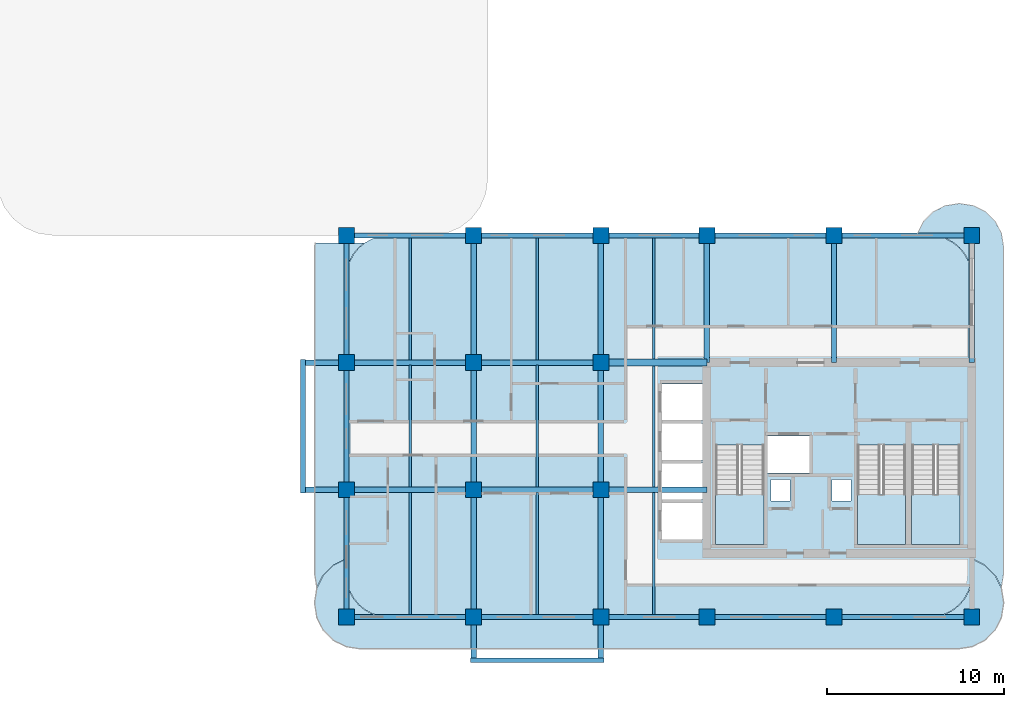
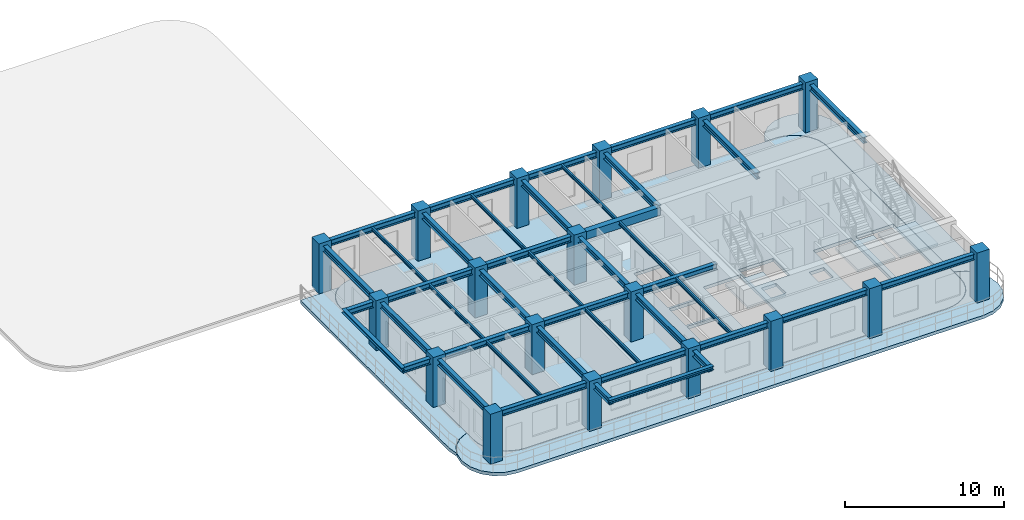
# One storey, part 1 of 8: 39 beams, 18 columns, 7 slabs, 3 elements without a shape of their own.
"""IFC4 building model written with IfcOpenShell, lengths in metres."""

from ifc_helpers import new_model, si_unit, derived_unit, direction, frame, origin, origin_2d, place, context, subcontext, project, spatial, polyline, rectangle, i_section, outline, extrude, source, transform, mapped, material, layer, layer_set, material_profile, profile_set, type_object, type_shapes, element, aggregate, save


model = new_model("IFC4")

# Units and contexts
model_context = context("Model", 3, precision=1e-05, world=origin(), true_north=direction((0.0, 1.0)))
body_context = subcontext(model_context, "Body", "Model", "MODEL_VIEW")
ifc_project = project(units=[si_unit("LENGTHUNIT", "METRE"), si_unit("AREAUNIT", "SQUARE_METRE"), si_unit("VOLUMEUNIT", "CUBIC_METRE"), si_unit("PLANEANGLEUNIT", "RADIAN"), si_unit("MASSUNIT", "GRAM", prefix="KILO"), si_unit("THERMODYNAMICTEMPERATUREUNIT", "KELVIN"), si_unit("POWERUNIT", "WATT"), derived_unit("THERMALTRANSMITTANCEUNIT", [(si_unit("POWERUNIT", "WATT"), 1), (si_unit("AREAUNIT", "SQUARE_METRE"), -1), (si_unit("THERMODYNAMICTEMPERATUREUNIT", "KELVIN"), -1)])], contexts=[model_context])

# Site, building, storey
site_placement = place(None, origin())
site = spatial("IfcSite", under=ifc_project, at=site_placement, CompositionType="ELEMENT")
building_placement = place(site_placement, origin())
building = spatial("IfcBuilding", under=site, at=building_placement, Name="Zahravan Archway Hotel and Residences", CompositionType="ELEMENT")
storey_placement = place(building_placement, frame((0.0, 0.0, 213.449951171875)))
storey = spatial("IfcBuildingStorey", under=building, at=storey_placement, Name="L53", CompositionType="ELEMENT", Elevation=213.449951171875)

# Columns
ifc_material_1 = material(Name="Concrete C60/75", Category="concrete")
ifc_material_profile_1 = material_profile(ifc_material_1, rectangle(XDim=0.89990234375, YDim=0.89990234375, at=origin_2d()), Name="RC-COL-900x900", Category="concrete")
ifc_profile_set_1 = profile_set([ifc_material_profile_1], Name="Concrete C60/75")
column_type = type_object("IfcColumnType", Name="COL-RC-900", PredefinedType="COLUMN", material=ifc_profile_set_1)
shared_shape_1 = source(origin(), body_context, "Body", "SweptSolid", [
    extrude(rectangle(XDim=0.89990234375, YDim=0.89990234375, at=origin_2d()), origin(), (0.0, 0.0, 1.0), 3.85009765625),
])
type_shapes(column_type, [shared_shape_1])
for number, where, z_axis, x_axis, name in (
    (1, (14.39990234375, 0.0, 0.0), (0.0, 0.0, 1.0), (1.0, 0.0, 0.0), "L53 Column 3-A"),
    (2, (14.39990234375, 7.199951171875, 0.0), (0.0, 0.0, 1.0), (1.0, 0.0, 0.0), "L53 Column 3-B"),
    (3, (14.39990234375, 14.39990234375, 0.0), (0.0, 0.0, 1.0), (1.0, 0.0, 0.0), "L53 Column 3-C"),
    (4, (14.39990234375, 21.60009765625, 0.0), (0.0, 0.0, 1.0), (1.0, 0.0, 0.0), "L53 Column 3-D"),
    (5, (21.60009765625, 0.0, 0.0), (0.0, 0.0, 1.0), (1.0, 0.0, 0.0), "L53 Column 4-A"),
    (6, (21.60009765625, 7.199951171875, 0.0), (0.0, 0.0, 1.0), (1.0, 0.0, 0.0), "L53 Column 4-B"),
    (7, (21.60009765625, 14.39990234375, 0.0), (0.0, 0.0, 1.0), (1.0, 0.0, 0.0), "L53 Column 4-C"),
    (8, (21.60009765625, 21.60009765625, 0.0), (0.0, 0.0, 1.0), (1.0, 0.0, 0.0), "L53 Column 4-D"),
    (9, (28.800048828125, 0.0, 0.0), (0.0, 0.0, 1.0), (1.0, 0.0, 0.0), "L53 Column 5-A"),
    (10, (28.800048828125, 7.199951171875, 0.0), (0.0, 0.0, 1.0), (1.0, 0.0, 0.0), "L53 Column 5-B"),
    (11, (28.800048828125, 14.39990234375, 0.0), (0.0, 0.0, 1.0), (1.0, 0.0, 0.0), "L53 Column 5-C"),
    (12, (28.800048828125, 21.60009765625, 0.0), (0.0, 0.0, 1.0), (1.0, 0.0, 0.0), "L53 Column 5-D"),
    (13, (34.800048828125, 0.0, 0.0), (0.0, 0.0, 1.0), (1.0, 0.0, 0.0), "L53 Column 6-A"),
    (14, (34.800048828125, 21.60009765625, 0.0), (0.0, 0.0, 1.0), (1.0, 0.0, 0.0), "L53 Column 6-D"),
    (15, (42.0, 0.0, 0.0), (0.0, 0.0, 1.0), (1.0, 0.0, 0.0), "L53 Column 7-A"),
    (16, (42.0, 21.60009765625, 0.0), (0.0, 0.0, 1.0), (1.0, 0.0, 0.0), "L53 Column 7-D"),
    (17, (49.800048828125, 0.0, 0.0), (0.0, 0.0, 1.0), (1.0, 0.0, 0.0), "L53 Column 8-A"),
    (18, (49.800048828125, 21.60009765625, 0.0), (0.0, 0.0, 1.0), (1.0, 0.0, 0.0), "L53 Column 8-D"),
):
    element("IfcColumn", number, at=place(storey_placement, frame(where, z_axis=z_axis, x_axis=x_axis)), inside=storey, type_object=column_type, Name=name, PredefinedType="COLUMN", context=body_context, shape_type="MappedRepresentation", body=[
        mapped(shared_shape_1, transform((0.0, 0.0, 0.0), scale=1.0)),
    ])

# Beams
ifc_material_2 = material(Name="Structural Steel S355JR", Category="steel")
ifc_material_profile_2 = material_profile(ifc_material_2, i_section(OverallWidth=0.280029296875, OverallDepth=0.280029296875, WebThickness=0.010498046875, FlangeThickness=0.01806640625, FilletRadius=0.02392578125, at=origin_2d()), Name="HEB 280", Category="steel")
ifc_profile_set_2 = profile_set([ifc_material_profile_2], Name="Structural Steel S355JR")
beam_type_1 = type_object("IfcBeamType", Name="BM-SPN-HEB280", PredefinedType="SPANDREL", material=ifc_profile_set_2)
shared_shape_2 = source(origin(), body_context, "Body", "SweptSolid", [
    extrude(i_section(OverallWidth=0.280029296875, OverallDepth=0.280029296875, WebThickness=0.010498046875, FlangeThickness=0.01806640625, FilletRadius=0.02392578125, at=origin_2d()), origin(), (0.0, 0.0, 1.0), 7.56005859375),
])
type_shapes(beam_type_1, [shared_shape_2])
for number, where, z_axis, x_axis, name in (
    (19, (11.949951171875, 7.02001953125, 3.4599609375), (0.0, 1.0, 0.0), (-1.0, 0.0, 0.0), "L54 WA Balcony Edge Spandrel"),
    (20, (21.419921875, -2.449951171875, 3.4599609375), (1.0, 0.0, 0.0), (0.0, 1.0, 0.0), "L54 SA Balcony Edge Spandrel"),
):
    element("IfcBeam", number, at=place(storey_placement, frame(where, z_axis=z_axis, x_axis=x_axis)), inside=storey, type_object=beam_type_1, Name=name, PredefinedType="SPANDREL", context=body_context, shape_type="MappedRepresentation", body=[
        mapped(shared_shape_2, transform((0.0, 0.0, 0.0), scale=1.0)),
    ])
ifc_material_profile_3 = material_profile(ifc_material_1, rectangle(XDim=0.39990234375, YDim=0.60009765625, at=origin_2d()), Name="RC-LNT-400x600", Category="concrete")
ifc_profile_set_3 = profile_set([ifc_material_profile_3], Name="Concrete C60/75")
beam_type_2 = type_object("IfcBeamType", Name="LNT-RC-400x600", PredefinedType="LINTEL", material=ifc_profile_set_3)
shared_shape_3 = source(origin(), body_context, "Body", "SweptSolid", [
    extrude(rectangle(XDim=0.39990234375, YDim=0.60009765625, at=origin_2d()), origin(), (0.0, 0.0, 1.0), 6.0),
])
type_shapes(beam_type_2, [shared_shape_3])
beam_placement = place(storey_placement, frame((28.800048828125, 14.39990234375, 3.300048828125), z_axis=(1.0, 0.0, 0.0), x_axis=(0.0, 1.0, 0.0)))
element("IfcBeam", 21, at=beam_placement, inside=storey, type_object=beam_type_2, Name="L53 Core A Coupling Lintel Beam", PredefinedType="LINTEL", context=body_context, shape_type="MappedRepresentation", body=[
    mapped(shared_shape_3, transform((0.0, 0.0, 0.0), scale=1.0)),
])
ifc_material_profile_4 = material_profile(ifc_material_2, i_section(OverallWidth=0.300048828125, OverallDepth=0.449951171875, WebThickness=0.013916015625, FlangeThickness=0.02587890625, FilletRadius=0.027099609375, at=origin_2d()), Name="HEB 450", Category="steel")
ifc_profile_set_4 = profile_set([ifc_material_profile_4], Name="Structural Steel S355JR")
beam_type_3 = type_object("IfcBeamType", Name="BM-PRI-HEB450", PredefinedType="BEAM", material=ifc_profile_set_4)
shared_shape_4 = source(origin(), body_context, "Body", "SweptSolid", [
    extrude(i_section(OverallWidth=0.300048828125, OverallDepth=0.449951171875, WebThickness=0.013916015625, FlangeThickness=0.02587890625, FilletRadius=0.027099609375, at=origin_2d()), origin(), (0.0, 0.0, 1.0), 7.2001953125),
])
type_shapes(beam_type_3, [shared_shape_4])
for number, where, z_axis, x_axis, name in (
    (22, (14.39990234375, 0.0, 3.375), (1.0, 0.0, 0.0), (0.0, 1.0, 0.0), "L53 Primary Girder EW-01"),
    (23, (14.39990234375, 21.60009765625, 3.375), (1.0, 0.0, 0.0), (0.0, 1.0, 0.0), "L53 Primary Girder EW-11"),
    (24, (14.39990234375, 14.39990234375, 3.375), (0.0, 1.0, 0.0), (-1.0, 0.0, 0.0), "L53 Primary Girder NS-18"),
    (25, (21.60009765625, 14.39990234375, 3.375), (0.0, 1.0, 0.0), (-1.0, 0.0, 0.0), "L53 Primary Girder NS-21"),
    (26, (28.800048828125, 14.39990234375, 3.375), (0.0, 1.0, 0.0), (-1.0, 0.0, 0.0), "L53 Primary Girder NS-24"),
    (27, (34.800048828125, 14.39990234375, 3.375), (0.0, 1.0, 0.0), (-1.0, 0.0, 0.0), "L53 Primary Girder NS-25"),
    (28, (42.0, 14.39990234375, 3.375), (0.0, 1.0, 0.0), (-1.0, 0.0, 0.0), "L53 Primary Girder NS-26"),
    (29, (49.800048828125, 14.39990234375, 3.375), (0.0, 1.0, 0.0), (-1.0, 0.0, 0.0), "L53 Primary Girder NS-27"),
):
    element("IfcBeam", number, at=place(storey_placement, frame(where, z_axis=z_axis, x_axis=x_axis)), inside=storey, type_object=beam_type_3, Name=name, PredefinedType="BEAM", context=body_context, shape_type="MappedRepresentation", body=[
        mapped(shared_shape_4, transform((0.0, 0.0, 0.0), scale=1.0)),
    ])
shared_shape_5 = source(origin(), body_context, "Body", "SweptSolid", [
    extrude(i_section(OverallWidth=0.300048828125, OverallDepth=0.449951171875, WebThickness=0.013916015625, FlangeThickness=0.02587890625, FilletRadius=0.027099609375, at=origin_2d()), origin(), (0.0, 0.0, 1.0), 7.199951171875),
])
for number, where, z_axis, x_axis, name in (
    (30, (21.60009765625, 0.0, 3.375), (1.0, 0.0, 0.0), (0.0, 1.0, 0.0), "L53 Primary Girder EW-02"),
    (31, (34.800048828125, 0.0, 3.375), (1.0, 0.0, 0.0), (0.0, 1.0, 0.0), "L53 Primary Girder EW-04"),
    (32, (21.60009765625, 7.199951171875, 3.375), (1.0, 0.0, 0.0), (0.0, 1.0, 0.0), "L53 Primary Girder EW-07"),
    (33, (21.60009765625, 14.39990234375, 3.375), (1.0, 0.0, 0.0), (0.0, 1.0, 0.0), "L53 Primary Girder EW-10"),
    (34, (21.60009765625, 21.60009765625, 3.375), (1.0, 0.0, 0.0), (0.0, 1.0, 0.0), "L53 Primary Girder EW-12"),
    (35, (34.800048828125, 21.60009765625, 3.375), (1.0, 0.0, 0.0), (0.0, 1.0, 0.0), "L53 Primary Girder EW-14"),
    (36, (14.39990234375, 0.0, 3.375), (0.0, 1.0, 0.0), (-1.0, 0.0, 0.0), "L53 Primary Girder NS-16"),
    (37, (14.39990234375, 7.199951171875, 3.375), (0.0, 1.0, 0.0), (-1.0, 0.0, 0.0), "L53 Primary Girder NS-17"),
    (38, (21.60009765625, 7.199951171875, 3.375), (0.0, 1.0, 0.0), (-1.0, 0.0, 0.0), "L53 Primary Girder NS-20"),
    (39, (28.800048828125, 7.199951171875, 3.375), (0.0, 1.0, 0.0), (-1.0, 0.0, 0.0), "L53 Primary Girder NS-23"),
):
    element("IfcBeam", number, at=place(storey_placement, frame(where, z_axis=z_axis, x_axis=x_axis)), inside=storey, type_object=beam_type_3, Name=name, PredefinedType="BEAM", context=body_context, shape_type="MappedRepresentation", body=[
        mapped(shared_shape_5, transform((0.0, 0.0, 0.0), scale=1.0)),
    ])
shared_shape_6 = source(origin(), body_context, "Body", "SweptSolid", [
    extrude(i_section(OverallWidth=0.300048828125, OverallDepth=0.449951171875, WebThickness=0.013916015625, FlangeThickness=0.02587890625, FilletRadius=0.027099609375, at=origin_2d()), origin(), (0.0, 0.0, 1.0), 6.0),
])
for number, where, z_axis, x_axis, name in (
    (40, (28.800048828125, 0.0, 3.375), (1.0, 0.0, 0.0), (0.0, 1.0, 0.0), "L53 Primary Girder EW-03"),
    (41, (28.800048828125, 7.199951171875, 3.375), (1.0, 0.0, 0.0), (0.0, 1.0, 0.0), "L53 Primary Girder EW-08"),
    (42, (28.800048828125, 21.60009765625, 3.375), (1.0, 0.0, 0.0), (0.0, 1.0, 0.0), "L53 Primary Girder EW-13"),
):
    element("IfcBeam", number, at=place(storey_placement, frame(where, z_axis=z_axis, x_axis=x_axis)), inside=storey, type_object=beam_type_3, Name=name, PredefinedType="BEAM", context=body_context, shape_type="MappedRepresentation", body=[
        mapped(shared_shape_6, transform((0.0, 0.0, 0.0), scale=1.0)),
    ])
shared_shape_7 = source(origin(), body_context, "Body", "SweptSolid", [
    extrude(i_section(OverallWidth=0.300048828125, OverallDepth=0.449951171875, WebThickness=0.013916015625, FlangeThickness=0.02587890625, FilletRadius=0.027099609375, at=origin_2d()), origin(), (0.0, 0.0, 1.0), 7.800048828125),
])
for number, where, z_axis, x_axis, name in (
    (43, (42.0, 0.0, 3.375), (1.0, 0.0, 0.0), (0.0, 1.0, 0.0), "L53 Primary Girder EW-05"),
    (44, (42.0, 21.60009765625, 3.375), (1.0, 0.0, 0.0), (0.0, 1.0, 0.0), "L53 Primary Girder EW-15"),
):
    element("IfcBeam", number, at=place(storey_placement, frame(where, z_axis=z_axis, x_axis=x_axis)), inside=storey, type_object=beam_type_3, Name=name, PredefinedType="BEAM", context=body_context, shape_type="MappedRepresentation", body=[
        mapped(shared_shape_7, transform((0.0, 0.0, 0.0), scale=1.0)),
    ])
shared_shape_8 = source(origin(), body_context, "Body", "SweptSolid", [
    extrude(i_section(OverallWidth=0.300048828125, OverallDepth=0.449951171875, WebThickness=0.013916015625, FlangeThickness=0.02587890625, FilletRadius=0.027099609375, at=origin_2d()), origin(), (0.0, 0.0, 1.0), 9.650146484375),
])
for number, where, z_axis, x_axis, name in (
    (45, (11.949951171875, 7.199951171875, 3.375), (1.0, 0.0, 0.0), (0.0, 1.0, 0.0), "L53 Primary Girder EW-06"),
    (46, (11.949951171875, 14.39990234375, 3.375), (1.0, 0.0, 0.0), (0.0, 1.0, 0.0), "L53 Primary Girder EW-09"),
):
    element("IfcBeam", number, at=place(storey_placement, frame(where, z_axis=z_axis, x_axis=x_axis)), inside=storey, type_object=beam_type_3, Name=name, PredefinedType="BEAM", context=body_context, shape_type="MappedRepresentation", body=[
        mapped(shared_shape_8, transform((0.0, 0.0, 0.0), scale=1.0)),
    ])
shared_shape_9 = source(origin(), body_context, "Body", "SweptSolid", [
    extrude(i_section(OverallWidth=0.300048828125, OverallDepth=0.449951171875, WebThickness=0.013916015625, FlangeThickness=0.02587890625, FilletRadius=0.027099609375, at=origin_2d()), origin(), (0.0, 0.0, 1.0), 9.64990234375),
])
for number, where, z_axis, x_axis, name in (
    (47, (21.60009765625, -2.449951171875, 3.375), (0.0, 1.0, 0.0), (-1.0, 0.0, 0.0), "L53 Primary Girder NS-19"),
    (48, (28.800048828125, -2.449951171875, 3.375), (0.0, 1.0, 0.0), (-1.0, 0.0, 0.0), "L53 Primary Girder NS-22"),
):
    element("IfcBeam", number, at=place(storey_placement, frame(where, z_axis=z_axis, x_axis=x_axis)), inside=storey, type_object=beam_type_3, Name=name, PredefinedType="BEAM", context=body_context, shape_type="MappedRepresentation", body=[
        mapped(shared_shape_9, transform((0.0, 0.0, 0.0), scale=1.0)),
    ])
ifc_material_profile_5 = material_profile(ifc_material_2, i_section(OverallWidth=0.135009765625, OverallDepth=0.27001953125, WebThickness=0.006591796875, FlangeThickness=0.01025390625, FilletRadius=0.014892578125, at=origin_2d()), Name="IPE 270", Category="steel")
ifc_profile_set_5 = profile_set([ifc_material_profile_5], Name="Structural Steel S355JR")
beam_type_4 = type_object("IfcBeamType", Name="BM-JST-IPE270", PredefinedType="JOIST", material=ifc_profile_set_5)
shared_shape_10 = source(origin(), body_context, "Body", "SweptSolid", [
    extrude(i_section(OverallWidth=0.135009765625, OverallDepth=0.27001953125, WebThickness=0.006591796875, FlangeThickness=0.01025390625, FilletRadius=0.014892578125, at=origin_2d()), origin(), (0.0, 0.0, 1.0), 6.904052734375),
])
type_shapes(beam_type_4, [shared_shape_10])
for number, where, z_axis, x_axis, name in (
    (49, (18.0, 0.14794921875, 3.465087890625), (0.0, 1.0, 0.0), (-1.0, 0.0, 0.0), "L53 Composite Floor Joist 01"),
    (50, (25.199951171875, 0.14794921875, 3.465087890625), (0.0, 1.0, 0.0), (-1.0, 0.0, 0.0), "L53 Composite Floor Joist 02"),
    (51, (31.800048828125, 0.14794921875, 3.465087890625), (0.0, 1.0, 0.0), (-1.0, 0.0, 0.0), "L53 Composite Floor Joist 03"),
    (52, (18.0, 7.347900390625, 3.465087890625), (0.0, 1.0, 0.0), (-1.0, 0.0, 0.0), "L53 Composite Floor Joist 04"),
    (53, (25.199951171875, 7.347900390625, 3.465087890625), (0.0, 1.0, 0.0), (-1.0, 0.0, 0.0), "L53 Composite Floor Joist 05"),
):
    element("IfcBeam", number, at=place(storey_placement, frame(where, z_axis=z_axis, x_axis=x_axis)), inside=storey, type_object=beam_type_4, Name=name, PredefinedType="JOIST", context=body_context, shape_type="MappedRepresentation", body=[
        mapped(shared_shape_10, transform((0.0, 0.0, 0.0), scale=1.0)),
    ])
shared_shape_11 = source(origin(), body_context, "Body", "SweptSolid", [
    extrude(i_section(OverallWidth=0.135009765625, OverallDepth=0.27001953125, WebThickness=0.006591796875, FlangeThickness=0.01025390625, FilletRadius=0.014892578125, at=origin_2d()), origin(), (0.0, 0.0, 1.0), 6.85400390625),
])
for number, where, z_axis, x_axis, name in (
    (54, (31.800048828125, 7.347900390625, 3.465087890625), (0.0, 1.0, 0.0), (-1.0, 0.0, 0.0), "L53 Composite Floor Joist 06"),
    (55, (31.800048828125, 14.597900390625, 3.465087890625), (0.0, 1.0, 0.0), (-1.0, 0.0, 0.0), "L53 Composite Floor Joist 07"),
):
    element("IfcBeam", number, at=place(storey_placement, frame(where, z_axis=z_axis, x_axis=x_axis)), inside=storey, type_object=beam_type_4, Name=name, PredefinedType="JOIST", context=body_context, shape_type="MappedRepresentation", body=[
        mapped(shared_shape_11, transform((0.0, 0.0, 0.0), scale=1.0)),
    ])
shared_shape_12 = source(origin(), body_context, "Body", "SweptSolid", [
    extrude(i_section(OverallWidth=0.135009765625, OverallDepth=0.27001953125, WebThickness=0.006591796875, FlangeThickness=0.01025390625, FilletRadius=0.014892578125, at=origin_2d()), origin(), (0.0, 0.0, 1.0), 6.90380859375),
])
for number, where, z_axis, x_axis, name in (
    (56, (18.0, 14.548095703125, 3.465087890625), (0.0, 1.0, 0.0), (-1.0, 0.0, 0.0), "L53 Composite Floor Joist 08"),
    (57, (25.199951171875, 14.548095703125, 3.465087890625), (0.0, 1.0, 0.0), (-1.0, 0.0, 0.0), "L53 Composite Floor Joist 09"),
):
    element("IfcBeam", number, at=place(storey_placement, frame(where, z_axis=z_axis, x_axis=x_axis)), inside=storey, type_object=beam_type_4, Name=name, PredefinedType="JOIST", context=body_context, shape_type="MappedRepresentation", body=[
        mapped(shared_shape_12, transform((0.0, 0.0, 0.0), scale=1.0)),
    ])

# Slabs
ifc_material_3 = material(Name="Concrete C45/55", Category="concrete")
ifc_layer_1 = layer(ifc_material_3, 0.25, Name="Concrete C45/55", Category="concrete")
ifc_layer_set_1 = layer_set([ifc_layer_1], Name="Concrete C45/55")
slab_type_1 = type_object("IfcSlabType", Name="SLB-BALC-250", PredefinedType="FLOOR", material=ifc_layer_set_1)
slab_1_placement = place(storey_placement, frame((0.0, 0.0, -0.25)))
element("IfcSlab", 58, at=slab_1_placement, inside=storey, type_object=slab_type_1, Name="L53 Wing A South Rounded Balcony Band", PredefinedType="FLOOR", context=body_context, shape_type="SweptSolid", body=[
    extrude(outline(polyline([(49.837890625, 3.275146484375), (50.548828125, 2.9130859375), (51.113037109375, 2.348876953125), (51.47509765625, 1.637939453125), (51.60009765625, 0.85009765625), (51.60009765625, 0.75), (51.47509765625, -0.0380859375), (51.113037109375, -0.748779296875), (50.548828125, -1.31298828125), (49.837890625, -1.67529296875), (49.050048828125, -1.800048828125), (15.14990234375, -1.800048828125), (14.362060546875, -1.67529296875), (13.651123046875, -1.31298828125), (13.0869140625, -0.748779296875), (12.724853515625, -0.0380859375), (12.60009765625, 0.75), (12.60009765625, 0.85009765625), (12.724853515625, 1.637939453125), (13.0869140625, 2.348876953125), (13.651123046875, 2.9130859375), (14.362060546875, 3.275146484375), (14.3798828125, 3.278076171875), (14.3798828125, 2.39990234375), (14.380126953125, 2.39794921875), (14.42626953125, 1.9296875), (14.426513671875, 1.927978515625), (14.427001953125, 1.926025390625), (14.563720703125, 1.475830078125), (14.564208984375, 1.473876953125), (14.565185546875, 1.47216796875), (14.786865234375, 1.05712890625), (14.787841796875, 1.055419921875), (14.7890625, 1.053955078125), (15.08740234375, 0.690185546875), (15.0888671875, 0.688720703125), (15.090087890625, 0.6875), (15.453857421875, 0.388916015625), (15.45556640625, 0.387939453125), (15.457275390625, 0.386962890625), (15.872314453125, 0.1650390625), (15.873779296875, 0.164306640625), (15.875732421875, 0.16357421875), (16.325927734375, 0.027099609375), (16.327880859375, 0.026611328125), (16.329833984375, 0.026123046875), (16.798095703125, -0.02001953125), (16.800048828125, -0.02001953125), (47.39990234375, -0.02001953125), (47.402099609375, -0.02001953125), (47.8701171875, 0.026123046875), (47.8720703125, 0.026611328125), (47.8740234375, 0.027099609375), (48.32421875, 0.16357421875), (48.326171875, 0.164306640625), (48.327880859375, 0.1650390625), (48.742919921875, 0.386962890625), (48.744384765625, 0.387939453125), (48.74609375, 0.388916015625), (49.10986328125, 0.6875), (49.111083984375, 0.688720703125), (49.112548828125, 0.690185546875), (49.410888671875, 1.053955078125), (49.412109375, 1.055419921875), (49.4130859375, 1.05712890625), (49.635009765625, 1.47216796875), (49.6357421875, 1.473876953125), (49.636474609375, 1.475830078125), (49.77294921875, 1.926025390625), (49.7734375, 1.927978515625), (49.773681640625, 1.9296875), (49.81982421875, 2.39794921875), (49.820068359375, 2.39990234375), (49.820068359375, 3.278076171875), (49.837890625, 3.275146484375)])), origin(), (0.0, 0.0, 1.0), 0.25),
])
slab_2_placement = place(storey_placement, frame((0.0, 0.0, -0.25)))
element("IfcSlab", 59, at=slab_2_placement, inside=storey, type_object=slab_type_1, Name="L53 Wing A East Rounded Balcony Band", PredefinedType="FLOOR", context=body_context, shape_type="SweptSolid", body=[
    extrude(outline(polyline([(46.719970703125, 21.70703125), (47.06787109375, 22.39013671875), (47.60986328125, 22.93212890625), (48.29296875, 23.280029296875), (49.050048828125, 23.39990234375), (49.14990234375, 23.39990234375), (49.906982421875, 23.280029296875), (50.590087890625, 22.93212890625), (51.132080078125, 22.39013671875), (51.47998046875, 21.70703125), (51.60009765625, 20.949951171875), (51.60009765625, 2.449951171875), (51.47998046875, 1.69287109375), (51.474853515625, 1.6826171875), (51.130859375, 2.35791015625), (51.1298828125, 2.35986328125), (51.12841796875, 2.361572265625), (51.127197265625, 2.363037109375), (50.56298828125, 2.927001953125), (50.5615234375, 2.928466796875), (50.559814453125, 2.9296875), (50.55810546875, 2.930908203125), (49.84716796875, 3.29296875), (49.84521484375, 3.2939453125), (49.84326171875, 3.29443359375), (49.841064453125, 3.294921875), (49.822998046875, 3.2978515625), (49.8212890625, 3.298095703125), (49.820068359375, 3.298095703125), (49.820068359375, 19.199951171875), (49.81982421875, 19.201904296875), (49.773681640625, 19.670166015625), (49.7734375, 19.672119140625), (49.77294921875, 19.674072265625), (49.636474609375, 20.124267578125), (49.6357421875, 20.126220703125), (49.635009765625, 20.127685546875), (49.4130859375, 20.542724609375), (49.412109375, 20.54443359375), (49.410888671875, 20.546142578125), (49.112548828125, 20.909912109375), (49.111083984375, 20.9111328125), (49.10986328125, 20.91259765625), (48.74609375, 21.2109375), (48.744384765625, 21.212158203125), (48.742919921875, 21.213134765625), (48.327880859375, 21.434814453125), (48.326171875, 21.435791015625), (48.32421875, 21.436279296875), (47.8740234375, 21.572998046875), (47.8720703125, 21.573486328125), (47.8701171875, 21.57373046875), (47.402099609375, 21.619873046875), (47.39990234375, 21.6201171875), (46.7060546875, 21.6201171875), (46.719970703125, 21.70703125)])), origin(), (0.0, 0.0, 1.0), 0.25),
])
slab_3_placement = place(storey_placement, frame((0.0, 0.0, -0.25)))
element("IfcSlab", 60, at=slab_3_placement, inside=storey, type_object=slab_type_1, Name="L53 Wing A West Rounded Balcony Band", PredefinedType="FLOOR", context=body_context, shape_type="SweptSolid", body=[
    extrude(outline(polyline([(12.719970703125, 1.69287109375), (12.60009765625, 2.449951171875), (12.60009765625, 20.949951171875), (12.634765625, 21.169921875), (15.404052734375, 21.169921875), (15.090087890625, 20.91259765625), (15.0888671875, 20.9111328125), (15.08740234375, 20.909912109375), (14.7890625, 20.546142578125), (14.787841796875, 20.54443359375), (14.786865234375, 20.542724609375), (14.565185546875, 20.127685546875), (14.564208984375, 20.126220703125), (14.563720703125, 20.124267578125), (14.427001953125, 19.674072265625), (14.426513671875, 19.672119140625), (14.42626953125, 19.670166015625), (14.380126953125, 19.201904296875), (14.3798828125, 19.199951171875), (14.3798828125, 3.298095703125), (14.37890625, 3.298095703125), (14.376953125, 3.2978515625), (14.35888671875, 3.294921875), (14.356689453125, 3.29443359375), (14.354736328125, 3.2939453125), (14.352783203125, 3.29296875), (13.64208984375, 2.930908203125), (13.64013671875, 2.9296875), (13.638427734375, 2.928466796875), (13.636962890625, 2.927001953125), (13.072998046875, 2.363037109375), (13.071533203125, 2.361572265625), (13.0703125, 2.35986328125), (13.069091796875, 2.35791015625), (12.72509765625, 1.6826171875), (12.719970703125, 1.69287109375)])), origin(), (0.0, 0.0, 1.0), 0.25),
])
ifc_layer_2 = layer(ifc_material_3, 0.25, Name="Concrete C45/55", Category="concrete")
ifc_layer_set_2 = layer_set([ifc_layer_2], Name="Concrete C45/55")
slab_type_2 = type_object("IfcSlabType", Name="SLB-FLR-250", PredefinedType="FLOOR", material=ifc_layer_set_2)
slab_4_placement = place(storey_placement, frame((0.0, 0.0, -0.25)))
element("IfcSlab", 61, at=slab_4_placement, inside=storey, type_object=slab_type_2, Name="L53 Floor Slab WA", PredefinedType="FLOOR", context=body_context, shape_type="SweptSolid", body=[
    extrude(outline(polyline([(47.39990234375, 0.0), (47.8681640625, 0.046142578125), (48.318359375, 0.1826171875), (48.7333984375, 0.404541015625), (49.09716796875, 0.702880859375), (49.3955078125, 1.066650390625), (49.6171875, 1.481689453125), (49.75390625, 1.931884765625), (49.800048828125, 2.39990234375), (49.800048828125, 19.199951171875), (49.75390625, 19.668212890625), (49.6171875, 20.118408203125), (49.3955078125, 20.533447265625), (49.09716796875, 20.897216796875), (48.7333984375, 21.195556640625), (48.318359375, 21.417236328125), (47.8681640625, 21.553955078125), (47.39990234375, 21.60009765625), (16.800048828125, 21.60009765625), (16.331787109375, 21.553955078125), (15.881591796875, 21.417236328125), (15.466552734375, 21.195556640625), (15.102783203125, 20.897216796875), (14.804443359375, 20.533447265625), (14.582763671875, 20.118408203125), (14.446044921875, 19.668212890625), (14.39990234375, 19.199951171875), (14.39990234375, 2.39990234375), (14.446044921875, 1.931884765625), (14.582763671875, 1.481689453125), (14.804443359375, 1.066650390625), (15.102783203125, 0.702880859375), (15.466552734375, 0.404541015625), (15.881591796875, 0.1826171875), (16.331787109375, 0.046142578125), (16.800048828125, 0.0), (47.39990234375, 0.0)]), holes=[polyline([(35.300048828125, 9.72998046875), (35.300048828125, 4.10009765625), (38.0400390625, 4.10009765625), (38.0400390625, 9.72998046875), (35.300048828125, 9.72998046875)]), polyline([(43.320068359375, 9.72998046875), (43.320068359375, 4.10009765625), (46.06005859375, 4.10009765625), (46.06005859375, 9.72998046875), (43.320068359375, 9.72998046875)]), polyline([(46.39990234375, 9.72998046875), (46.39990234375, 4.10009765625), (49.139892578125, 4.10009765625), (49.139892578125, 9.72998046875), (46.39990234375, 9.72998046875)]), polyline([(38.179931640625, 8.14990234375), (40.699951171875, 8.14990234375), (40.699951171875, 10.25), (38.179931640625, 10.25), (38.179931640625, 8.14990234375)]), polyline([(32.25, 4.39990234375), (34.550048828125, 4.39990234375), (34.550048828125, 6.47998046875), (32.25, 6.47998046875), (32.25, 4.39990234375)]), polyline([(32.25, 6.639892578125), (34.550048828125, 6.639892578125), (34.550048828125, 8.719970703125), (32.25, 8.719970703125), (32.25, 6.639892578125)]), polyline([(32.25, 8.8798828125), (34.550048828125, 8.8798828125), (34.550048828125, 10.9599609375), (32.25, 10.9599609375), (32.25, 8.8798828125)]), polyline([(32.25, 11.1201171875), (34.550048828125, 11.1201171875), (34.550048828125, 13.199951171875), (32.25, 13.199951171875), (32.25, 11.1201171875)]), polyline([(38.419921875, 6.56005859375), (39.5, 6.56005859375), (39.5, 7.780029296875), (38.419921875, 7.780029296875), (38.419921875, 6.56005859375)]), polyline([(41.89990234375, 6.56005859375), (42.9599609375, 6.56005859375), (42.9599609375, 7.780029296875), (41.89990234375, 7.780029296875), (41.89990234375, 6.56005859375)])]), origin(), (0.0, 0.0, 1.0), 0.25),
])

# Stair, slab
ifc_material_4 = material(Name="Concrete C50/60", Category="concrete")
stair_type = type_object("IfcStairType", Name="STR-CORE-1300", PredefinedType="HALF_TURN_STAIR", material=ifc_material_4)
stair_1_placement = place(storey_placement, origin())
stair_1 = element("IfcStair", 62, at=stair_1_placement, inside=storey, type_object=stair_type, Name="L53 Core A Exit Stair 1", PredefinedType="HALF_TURN_STAIR")
ifc_layer_3 = layer(ifc_material_4, 0.199951171875, Name="Concrete C50/60", Category="concrete")
ifc_layer_set_3 = layer_set([ifc_layer_3], Name="Concrete C50/60")
slab_type_3 = type_object("IfcSlabType", Name="SLB-LND-200", PredefinedType="LANDING", material=ifc_layer_set_3)
slab_5_placement = place(storey_placement, frame((0.0, 0.0, 1.72509765625)))
slab_5 = element("IfcSlab", 63, at=slab_5_placement, type_object=slab_type_3, Name="ST-A1 landing 1", PredefinedType="LANDING", context=body_context, shape_type="SweptSolid", body=[
    extrude(outline(polyline([(35.300048828125, 6.929931640625), (35.300048828125, 4.10009765625), (38.0400390625, 4.10009765625), (38.0400390625, 6.929931640625), (35.300048828125, 6.929931640625)])), origin(), (0.0, 0.0, 1.0), 0.199951171875),
])
aggregate(stair_1, [slab_5])

stair_2_placement = place(storey_placement, origin())
stair_2 = element("IfcStair", 64, at=stair_2_placement, inside=storey, type_object=stair_type, Name="L53 Core A Exit Stair 2", PredefinedType="HALF_TURN_STAIR")
slab_6_placement = place(storey_placement, frame((0.0, 0.0, 1.72509765625)))
slab_6 = element("IfcSlab", 65, at=slab_6_placement, type_object=slab_type_3, Name="ST-A2 landing 1", PredefinedType="LANDING", context=body_context, shape_type="SweptSolid", body=[
    extrude(outline(polyline([(43.320068359375, 6.929931640625), (43.320068359375, 4.10009765625), (46.06005859375, 4.10009765625), (46.06005859375, 6.929931640625), (43.320068359375, 6.929931640625)])), origin(), (0.0, 0.0, 1.0), 0.199951171875),
])
aggregate(stair_2, [slab_6])

stair_3_placement = place(storey_placement, origin())
stair_3 = element("IfcStair", 66, at=stair_3_placement, inside=storey, type_object=stair_type, Name="L53 Core A Exit Stair 3", PredefinedType="HALF_TURN_STAIR")
slab_7_placement = place(storey_placement, frame((0.0, 0.0, 1.72509765625)))
slab_7 = element("IfcSlab", 67, at=slab_7_placement, type_object=slab_type_3, Name="ST-A3 landing 1", PredefinedType="LANDING", context=body_context, shape_type="SweptSolid", body=[
    extrude(outline(polyline([(46.39990234375, 6.929931640625), (46.39990234375, 4.10009765625), (49.139892578125, 4.10009765625), (49.139892578125, 6.929931640625), (46.39990234375, 6.929931640625)])), origin(), (0.0, 0.0, 1.0), 0.199951171875),
])
aggregate(stair_3, [slab_7])

save(model, "model.ifc")
